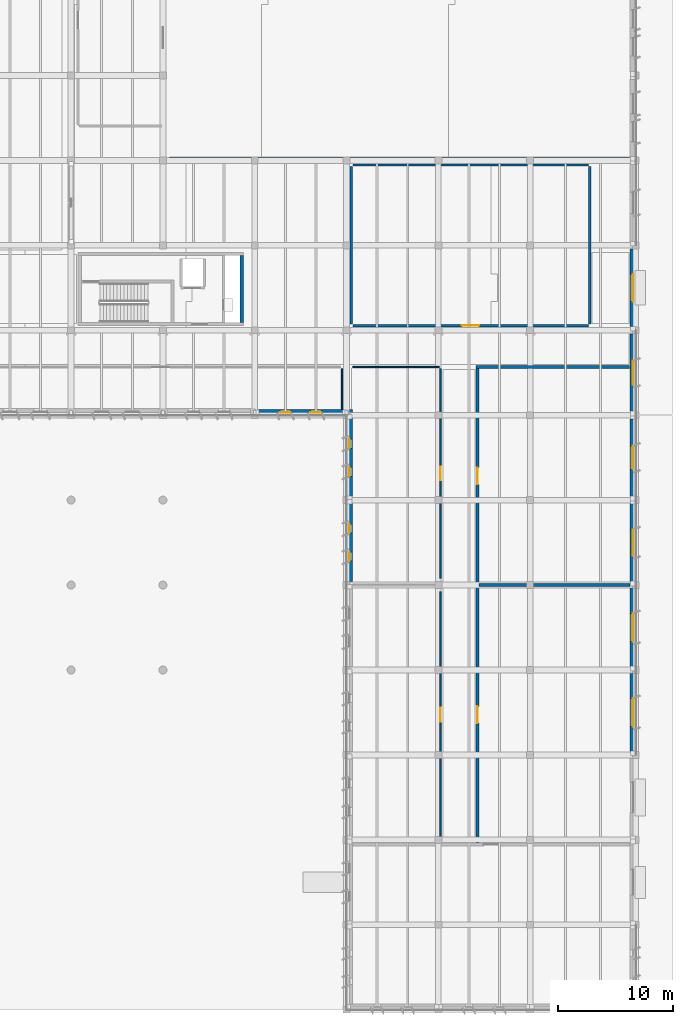
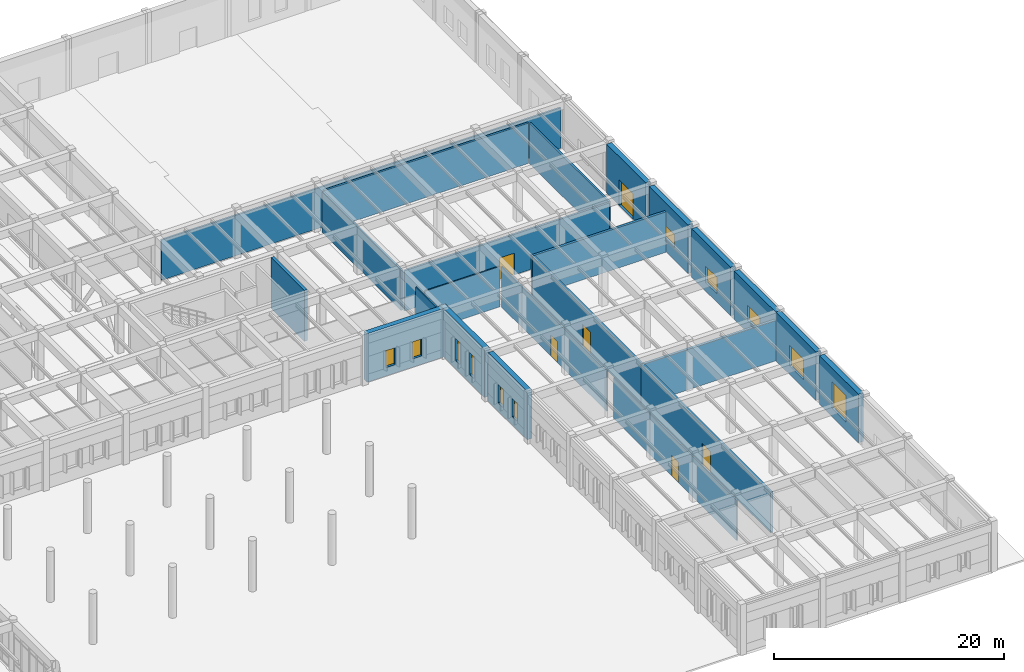
# One storey, part 29 of 56: 23 walls, 11 windows, 6 doors, 17 openings.
"""IFC4 building model written with IfcOpenShell, lengths in metres."""

from ifc_helpers import new_model, si_unit, direction, frame, frame_2d, origin, place, context, subcontext, project, spatial, rectangle, extrude, material, layer, layer_set, type_object, element, fill, save


model = new_model("IFC4")

# Units and contexts
model_context = context("Model", 3, precision=1e-05, world=origin(), true_north=direction((0.0, 1.0)))
body_context = subcontext(model_context, "Body", "Model", "MODEL_VIEW")
ifc_project = project(units=[si_unit("LENGTHUNIT", "METRE"), si_unit("AREAUNIT", "SQUARE_METRE"), si_unit("VOLUMEUNIT", "CUBIC_METRE"), si_unit("PLANEANGLEUNIT", "RADIAN"), si_unit("MASSUNIT", "GRAM", prefix="KILO")], contexts=[model_context])

# Site, building, storey
site_placement = place(None, origin())
site = spatial("IfcSite", under=ifc_project, at=site_placement, CompositionType="ELEMENT")
building_placement = place(site_placement, origin())
building = spatial("IfcBuilding", under=site, at=building_placement, Name="Valkorina Park Police Headquarters", CompositionType="ELEMENT")
storey_placement = place(building_placement, origin())
storey = spatial("IfcBuildingStorey", under=building, at=storey_placement, Name="L01", CompositionType="ELEMENT", Elevation=0.0)

# Walls
ifc_material_1 = material(Name="Acoustic mineral board")
ifc_layer_1 = layer(ifc_material_1, 0.175048828125)
ifc_layer_set_1 = layer_set([ifc_layer_1], Name="Acoustic mineral board")
wall_type_1 = type_object("IfcWallType", Name="WL-BRIEF-175-EI60", PredefinedType="PARTITIONING", material=ifc_layer_set_1)
wall_1_placement = place(storey_placement, frame((121.389892578125, 81.60009765625, 0.0), z_axis=(0.0, 0.0, 1.0), x_axis=(1.0, 0.0, 0.0)))
element("IfcWall", 1, at=wall_1_placement, inside=storey, type_object=wall_type_1, Name="L01 Interior Partition 0089 (L01-GYM-01)", PredefinedType="PARTITIONING", context=body_context, shape_type="SweptSolid", body=[
    extrude(rectangle(XDim=40.070068359375, YDim=0.175048828125, at=frame_2d((20.03515625, 0.0))), origin(), (0.0, 0.0, 1.0), 4.27001953125),
])
ifc_material_2 = material(Name="Concrete C40/50", Category="concrete")
ifc_layer_2 = layer(ifc_material_2, 0.300048828125)
ifc_layer_set_2 = layer_set([ifc_layer_2], Name="Concrete C40/50")
wall_type_2 = type_object("IfcWallType", Name="WL-CORE-300-REI120", PredefinedType="SHEAR", material=ifc_layer_set_2)
wall_2_placement = place(storey_placement, frame((127.64990234375, 67.300048828125, 0.0), z_axis=(0.0, 0.0, 1.0), x_axis=(0.0, 1.0, 0.0)))
element("IfcWall", 2, at=wall_2_placement, inside=storey, type_object=wall_type_2, Name="Core C5 L01 Shear Wall E", PredefinedType="SHEAR", context=body_context, shape_type="SweptSolid", body=[
    extrude(rectangle(XDim=5.800048828125, YDim=0.300048828125, at=frame_2d((2.89990234375, 0.0))), origin(), (0.0, 0.0, 1.0), 5.39501953125),
])

# Wall, opening, door
ifc_material_3 = material(Name="Autoclaved aerated concrete masonry", Category="masonry")
ifc_layer_3 = layer(ifc_material_3, 0.199951171875)
ifc_layer_set_3 = layer_set([ifc_layer_3], Name="Autoclaved aerated concrete masonry")
wall_type_3 = type_object("IfcWallType", Name="WL-CORR-200-EI60", PredefinedType="STANDARD", material=ifc_layer_set_3)
wall_3_placement = place(storey_placement, frame((137.340087890625, 67.0, 0.0), z_axis=(0.0, 0.0, 1.0), x_axis=(1.0, 0.0, 0.0)))
wall_3 = element("IfcWall", 3, at=wall_3_placement, inside=storey, type_object=wall_type_3, Name="L01 Interior Partition 0106 (L01-FOR-06)", PredefinedType="STANDARD", context=body_context, shape_type="SweptSolid", body=[
    extrude(rectangle(XDim=20.52001953125, YDim=0.199951171875, at=frame_2d((10.260009765625, 0.0))), origin(), (0.0, 0.0, 1.0), 4.284912109375),
])
opening_1_placement = place(wall_3_placement, frame((9.510009765625, 0.0, 0.0)))
opening_1 = element("IfcOpeningElement", 4, at=opening_1_placement, cuts=wall_3, Name="Opening ID-08", PredefinedType="OPENING", context=body_context, shape_type="SweptSolid", body=[
    extrude(rectangle(XDim=1.5, YDim=2.300048828125, at=frame_2d((0.75, 1.14990234375))), frame((0.0, 0.10986328125, 0.0), z_axis=(0.0, -1.0, 0.0), x_axis=(1.0, 0.0, 0.0)), (0.0, 0.0, 1.0), 0.219970703125),
])
ifc_material_4 = material(Name="Galvanized steel door leaf", Category="steel")
ifc_layer_4 = layer(ifc_material_4, 0.050048828125)
ifc_layer_set_4 = layer_set([ifc_layer_4], Name="Galvanized steel door leaf")
door_type_1 = type_object("IfcDoorType", Name="DR-INT-EQP-1500x2300", OperationType="NOTDEFINED", PredefinedType="DOOR", material=ifc_layer_set_4)
door_1_placement = place(opening_1_placement, origin())
door_1 = element("IfcDoor", 5, at=door_1_placement, inside=storey, type_object=door_type_1, Name="Door D-L01-I050 (L01-FOR-06)", OperationType="SINGLE_SWING_LEFT", OverallHeight=2.300048828125, OverallWidth=1.5, PredefinedType="DOOR", context=body_context, shape_type="SweptSolid", body=[
    extrude(rectangle(XDim=1.5, YDim=2.300048828125, at=frame_2d((0.75, 1.14990234375))), frame((0.0, 0.02490234375, 0.0), z_axis=(0.0, -1.0, 0.0), x_axis=(1.0, 0.0, 0.0)), (0.0, 0.0, 1.0), 0.050048828125),
])
fill(opening_1, door_1)

# Walls
wall_4_placement = place(storey_placement, frame((137.340087890625, 81.0, 0.0), z_axis=(0.0, 0.0, 1.0), x_axis=(1.0, 0.0, 0.0)))
element("IfcWall", 6, at=wall_4_placement, inside=storey, type_object=wall_type_3, Name="L01 Interior Partition 0107 (L01-FOR-06)", PredefinedType="STANDARD", context=body_context, shape_type="SweptSolid", body=[
    extrude(rectangle(XDim=20.52001953125, YDim=0.199951171875, at=frame_2d((10.260009765625, 0.0))), origin(), (0.0, 0.0, 1.0), 4.284912109375),
])
wall_5_placement = place(storey_placement, frame((137.199951171875, 67.139892578125, 0.0), z_axis=(0.0, 0.0, 1.0), x_axis=(0.0, 1.0, 0.0)))
element("IfcWall", 7, at=wall_5_placement, inside=storey, type_object=wall_type_3, Name="L01 Interior Partition 0108 (L01-FOR-06)", PredefinedType="STANDARD", context=body_context, shape_type="SweptSolid", body=[
    extrude(rectangle(XDim=13.72021484375, YDim=0.199951171875, at=frame_2d((6.860107421875, 0.0))), origin(), (0.0, 0.0, 1.0), 4.27001953125),
])
wall_6_placement = place(storey_placement, frame((158.0, 67.139892578125, 0.0), z_axis=(0.0, 0.0, 1.0), x_axis=(0.0, 1.0, 0.0)))
element("IfcWall", 8, at=wall_6_placement, inside=storey, type_object=wall_type_3, Name="L01 Interior Partition 0109 (L01-FOR-06)", PredefinedType="STANDARD", context=body_context, shape_type="SweptSolid", body=[
    extrude(rectangle(XDim=13.72021484375, YDim=0.199951171875, at=frame_2d((6.860107421875, 0.0))), origin(), (0.0, 0.0, 1.0), 4.284912109375),
])
ifc_layer_5 = layer(ifc_material_2, 0.25)
ifc_layer_set_5 = layer_set([ifc_layer_5], Name="Concrete C40/50")
wall_type_4 = type_object("IfcWallType", Name="WL-CUST-250-REI120", PredefinedType="SOLIDWALL", material=ifc_layer_set_5)
wall_7_placement = place(storey_placement, frame((148.340087890625, 44.39990234375, 0.0), z_axis=(0.0, 0.0, 1.0), x_axis=(1.0, 0.0, 0.0)))
element("IfcWall", 9, at=wall_7_placement, inside=storey, type_object=wall_type_4, Name="L01 Interior Partition 0102 (L01-FOR-04)", PredefinedType="SOLIDWALL", context=body_context, shape_type="SweptSolid", body=[
    extrude(rectangle(XDim=13.159912109375, YDim=0.25, at=frame_2d((6.580078125, 0.0))), origin(), (0.0, 0.0, 1.0), 4.284912109375),
])

# Wall, opening, door
wall_8_placement = place(storey_placement, frame((148.199951171875, 21.93994140625, 0.0), z_axis=(0.0, 0.0, 1.0), x_axis=(0.0, 1.0, 0.0)))
wall_8 = element("IfcWall", 10, at=wall_8_placement, inside=storey, type_object=wall_type_4, Name="L01 Interior Partition 0103 (L01-FOR-04)", PredefinedType="SOLIDWALL", context=body_context, shape_type="SweptSolid", body=[
    extrude(rectangle(XDim=22.4599609375, YDim=0.25, at=frame_2d((11.22998046875, 0.0))), origin(), (0.0, 0.0, 1.0), 4.284912109375),
])
opening_2_placement = place(wall_8_placement, frame((10.43505859375, 0.0, 0.0)))
opening_2 = element("IfcOpeningElement", 11, at=opening_2_placement, cuts=wall_8, Name="Opening FD-07", PredefinedType="OPENING", context=body_context, shape_type="SweptSolid", body=[
    extrude(rectangle(XDim=1.449951171875, YDim=2.300048828125, at=frame_2d((0.72509765625, 1.14990234375))), frame((0.0, 0.135009765625, 0.0), z_axis=(0.0, -1.0, 0.0), x_axis=(1.0, 0.0, 0.0)), (0.0, 0.0, 1.0), 0.27001953125),
])
ifc_layer_6 = layer(ifc_material_4, 0.050048828125)
ifc_layer_set_6 = layer_set([ifc_layer_6], Name="Galvanized steel door leaf")
door_type_2 = type_object("IfcDoorType", Name="DR-FIRE-VAULT-1450x2300", OperationType="NOTDEFINED", PredefinedType="DOOR", material=ifc_layer_set_6)
door_2_placement = place(opening_2_placement, origin())
door_2 = element("IfcDoor", 12, at=door_2_placement, inside=storey, type_object=door_type_2, Name="Door D-L01-I048 (L01-FOR-04)", OperationType="SINGLE_SWING_LEFT", OverallHeight=2.300048828125, OverallWidth=1.449951171875, PredefinedType="DOOR", context=body_context, shape_type="SweptSolid", body=[
    extrude(rectangle(XDim=1.449951171875, YDim=2.300048828125, at=frame_2d((0.72509765625, 1.14990234375))), frame((0.0, 0.02490234375, 0.0), z_axis=(0.0, -1.0, 0.0), x_axis=(1.0, 0.0, 0.0)), (0.0, 0.0, 1.0), 0.050048828125),
])
fill(opening_2, door_2)

# Wall
wall_9_placement = place(storey_placement, frame((148.074951171875, 63.39990234375, 0.0), z_axis=(0.0, 0.0, 1.0), x_axis=(1.0, 0.0, 0.0)))
element("IfcWall", 13, at=wall_9_placement, inside=storey, type_object=wall_type_4, Name="L01 Interior Partition 0104 (L01-FOR-05)", PredefinedType="SOLIDWALL", context=body_context, shape_type="SweptSolid", body=[
    extrude(rectangle(XDim=13.385009765625, YDim=0.25, at=frame_2d((6.6923828125, 0.0))), origin(), (0.0, 0.0, 1.0), 4.284912109375),
])

# Wall, opening, door
wall_10_placement = place(storey_placement, frame((148.199951171875, 44.39990234375, 0.0), z_axis=(0.0, 0.0, 1.0), x_axis=(0.0, 1.0, 0.0)))
wall_10 = element("IfcWall", 14, at=wall_10_placement, inside=storey, type_object=wall_type_4, Name="L01 Interior Partition 0105 (L01-FOR-05)", PredefinedType="SOLIDWALL", context=body_context, shape_type="SweptSolid", body=[
    extrude(rectangle(XDim=18.875, YDim=0.25, at=frame_2d((9.4375, 0.0))), origin(), (0.0, 0.0, 1.0), 4.284912109375),
])
opening_3_placement = place(wall_10_placement, frame((8.77490234375, 0.0, 0.0)))
opening_3 = element("IfcOpeningElement", 15, at=opening_3_placement, cuts=wall_10, Name="Opening FD-07", PredefinedType="OPENING", context=body_context, shape_type="SweptSolid", body=[
    extrude(rectangle(XDim=1.449951171875, YDim=2.300048828125, at=frame_2d((0.72509765625, 1.14990234375))), frame((0.0, 0.135009765625, 0.0), z_axis=(0.0, -1.0, 0.0), x_axis=(1.0, 0.0, 0.0)), (0.0, 0.0, 1.0), 0.27001953125),
])
door_3_placement = place(opening_3_placement, origin())
door_3 = element("IfcDoor", 16, at=door_3_placement, inside=storey, type_object=door_type_2, Name="Door D-L01-I049 (L01-FOR-05)", OperationType="SINGLE_SWING_RIGHT", OverallHeight=2.300048828125, OverallWidth=1.449951171875, PredefinedType="DOOR", context=body_context, shape_type="SweptSolid", body=[
    extrude(rectangle(XDim=1.449951171875, YDim=2.300048828125, at=frame_2d((0.72509765625, 1.14990234375))), frame((0.0, 0.02490234375, 0.0), z_axis=(0.0, -1.0, 0.0), x_axis=(1.0, 0.0, 0.0)), (0.0, 0.0, 1.0), 0.050048828125),
])
fill(opening_3, door_3)

ifc_material_5 = material(Name="Precast concrete C40/50", Category="concrete")
ifc_layer_7 = layer(ifc_material_5, 0.5)
ifc_layer_set_7 = layer_set([ifc_layer_7], Name="Precast concrete C40/50")
wall_type_5 = type_object("IfcWallType", Name="WL-EXT-SPANDREL-500", PredefinedType="STANDARD", material=ifc_layer_set_7)
wall_11_placement = place(storey_placement, frame((161.75, 73.68994140625, 0.0), z_axis=(0.0, 0.0, 1.0), x_axis=(0.0, -1.0, 0.0)))
wall_11 = element("IfcWall", 17, at=wall_11_placement, inside=storey, type_object=wall_type_5, Name="L01 Architectural Concrete Exterior Wall 0057", PredefinedType="STANDARD", context=body_context, shape_type="SweptSolid", body=[
    extrude(rectangle(XDim=6.780029296875, YDim=0.5, at=frame_2d((3.39013671875, 0.0))), origin(), (0.0, 0.0, 1.0), 5.155029296875),
])
opening_4_placement = place(wall_11_placement, frame((2.18994140625, 0.0, 0.0)))
opening_4 = element("IfcOpeningElement", 18, at=opening_4_placement, cuts=wall_11, Name="Opening ED-03", PredefinedType="OPENING", context=body_context, shape_type="SweptSolid", body=[
    extrude(rectangle(XDim=2.39990234375, YDim=2.699951171875, at=frame_2d((1.199951171875, 1.35009765625))), frame((0.0, 0.260009765625, 0.0), z_axis=(0.0, -1.0, 0.0), x_axis=(1.0, 0.0, 0.0)), (0.0, 0.0, 1.0), 0.52001953125),
])
ifc_material_6 = material(Name="Thermally broken aluminium AW-6060", Category="aluminium")
ifc_layer_8 = layer(ifc_material_6, 0.050048828125)
ifc_layer_set_8 = layer_set([ifc_layer_8], Name="Thermally broken aluminium AW-6060")
door_type_3 = type_object("IfcDoorType", Name="DR-EXT-MAIN-2400x2700", OperationType="NOTDEFINED", PredefinedType="DOOR", material=ifc_layer_set_8)
door_4_placement = place(opening_4_placement, origin())
door_4 = element("IfcDoor", 19, at=door_4_placement, inside=storey, type_object=door_type_3, Name="Door D-L01-011 (Final Pedestrian Exit)", OperationType="DOUBLE_DOOR_SINGLE_SWING", OverallHeight=2.699951171875, OverallWidth=2.39990234375, PredefinedType="DOOR", context=body_context, shape_type="SweptSolid", body=[
    extrude(rectangle(XDim=2.39990234375, YDim=2.699951171875, at=frame_2d((1.199951171875, 1.35009765625))), frame((0.0, 0.02490234375, 0.0), z_axis=(0.0, -1.0, 0.0), x_axis=(1.0, 0.0, 0.0)), (0.0, 0.0, 1.0), 0.050048828125),
])
fill(opening_4, door_4)

# Wall, opening, window
wall_12_placement = place(storey_placement, frame((161.75, 66.2900390625, 0.0), z_axis=(0.0, 0.0, 1.0), x_axis=(0.0, -1.0, 0.0)))
wall_12 = element("IfcWall", 20, at=wall_12_placement, inside=storey, type_object=wall_type_5, Name="L01 Architectural Concrete Exterior Wall 0058", PredefinedType="STANDARD", context=body_context, shape_type="SweptSolid", body=[
    extrude(rectangle(XDim=6.780029296875, YDim=0.5, at=frame_2d((3.39013671875, 0.0))), origin(), (0.0, 0.0, 1.0), 5.155029296875),
])
opening_5_placement = place(wall_12_placement, frame((2.364990234375, 0.0, 1.35009765625)))
opening_5 = element("IfcOpeningElement", 21, at=opening_5_placement, cuts=wall_12, Name="Opening WN-31", PredefinedType="OPENING", context=body_context, shape_type="SweptSolid", body=[
    extrude(rectangle(XDim=2.050048828125, YDim=1.35009765625, at=frame_2d((1.02490234375, 0.675048828125))), frame((0.0, 0.260009765625, 0.0), z_axis=(0.0, -1.0, 0.0), x_axis=(1.0, 0.0, 0.0)), (0.0, 0.0, 1.0), 0.52001953125),
])
ifc_material_7 = material(Name="Triple low-E insulated glazing", Category="glass")
ifc_layer_9 = layer(ifc_material_7, 0.06005859375)
ifc_layer_set_9 = layer_set([ifc_layer_9], Name="Triple low-E insulated glazing")
window_type_1 = type_object("IfcWindowType", Name="WN-GYM-2050x1350", PartitioningType="SINGLE_PANEL", PredefinedType="WINDOW", material=ifc_layer_set_9)
window_1_placement = place(opening_5_placement, origin())
window_1 = element("IfcWindow", 22, at=window_1_placement, inside=storey, type_object=window_type_1, Name="Window L01-0092", OverallHeight=1.35009765625, OverallWidth=2.050048828125, PartitioningType="SINGLE_PANEL", PredefinedType="WINDOW", context=body_context, shape_type="SweptSolid", body=[
    extrude(rectangle(XDim=2.050048828125, YDim=1.35009765625, at=frame_2d((1.02490234375, 0.675048828125))), frame((0.0, 0.030029296875, 0.0), z_axis=(0.0, -1.0, 0.0), x_axis=(1.0, 0.0, 0.0)), (0.0, 0.0, 1.0), 0.06005859375),
])
fill(opening_5, window_1)

wall_13_placement = place(storey_placement, frame((161.75, 58.889892578125, 0.0), z_axis=(0.0, 0.0, 1.0), x_axis=(0.0, -1.0, 0.0)))
wall_13 = element("IfcWall", 23, at=wall_13_placement, inside=storey, type_object=wall_type_5, Name="L01 Architectural Concrete Exterior Wall 0059", PredefinedType="STANDARD", context=body_context, shape_type="SweptSolid", body=[
    extrude(rectangle(XDim=6.77978515625, YDim=0.5, at=frame_2d((3.389892578125, 0.0))), origin(), (0.0, 0.0, 1.0), 5.155029296875),
])
opening_6_placement = place(wall_13_placement, frame((2.364990234375, 0.0, 0.89990234375)))
opening_6 = element("IfcOpeningElement", 24, at=opening_6_placement, cuts=wall_13, Name="Opening WN-32", PredefinedType="OPENING", context=body_context, shape_type="SweptSolid", body=[
    extrude(rectangle(XDim=2.050048828125, YDim=1.75, at=frame_2d((1.02490234375, 0.875))), frame((0.0, 0.260009765625, 0.0), z_axis=(0.0, -1.0, 0.0), x_axis=(1.0, 0.0, 0.0)), (0.0, 0.0, 1.0), 0.52001953125),
])
ifc_layer_10 = layer(ifc_material_7, 0.06005859375)
ifc_layer_set_10 = layer_set([ifc_layer_10], Name="Triple low-E insulated glazing")
window_type_2 = type_object("IfcWindowType", Name="WN-GYM-2050x1750", PartitioningType="SINGLE_PANEL", PredefinedType="WINDOW", material=ifc_layer_set_10)
window_2_placement = place(opening_6_placement, origin())
window_2 = element("IfcWindow", 25, at=window_2_placement, inside=storey, type_object=window_type_2, Name="Window L01-0093", OverallHeight=1.75, OverallWidth=2.050048828125, PartitioningType="SINGLE_PANEL", PredefinedType="WINDOW", context=body_context, shape_type="SweptSolid", body=[
    extrude(rectangle(XDim=2.050048828125, YDim=1.75, at=frame_2d((1.02490234375, 0.875))), frame((0.0, 0.030029296875, 0.0), z_axis=(0.0, -1.0, 0.0), x_axis=(1.0, 0.0, 0.0)), (0.0, 0.0, 1.0), 0.06005859375),
])
fill(opening_6, window_2)

wall_14_placement = place(storey_placement, frame((161.75, 51.489990234375, 0.0), z_axis=(0.0, 0.0, 1.0), x_axis=(0.0, -1.0, 0.0)))
wall_14 = element("IfcWall", 26, at=wall_14_placement, inside=storey, type_object=wall_type_5, Name="L01 Architectural Concrete Exterior Wall 0060", PredefinedType="STANDARD", context=body_context, shape_type="SweptSolid", body=[
    extrude(rectangle(XDim=7.215087890625, YDim=0.5, at=frame_2d((3.607421875, 0.0))), origin(), (0.0, 0.0, 1.0), 5.155029296875),
])
opening_7_placement = place(wall_14_placement, frame((2.264892578125, 0.0, 1.35009765625)))
opening_7 = element("IfcOpeningElement", 27, at=opening_7_placement, cuts=wall_14, Name="Opening WN-33", PredefinedType="OPENING", context=body_context, shape_type="SweptSolid", body=[
    extrude(rectangle(XDim=2.25, YDim=1.550048828125, at=frame_2d((1.125, 0.77490234375))), frame((0.0, 0.260009765625, 0.0), z_axis=(0.0, -1.0, 0.0), x_axis=(1.0, 0.0, 0.0)), (0.0, 0.0, 1.0), 0.52001953125),
])
ifc_layer_11 = layer(ifc_material_7, 0.06005859375)
ifc_layer_set_11 = layer_set([ifc_layer_11], Name="Triple low-E insulated glazing")
window_type_3 = type_object("IfcWindowType", Name="WN-GYM-2250x1550", PartitioningType="SINGLE_PANEL", PredefinedType="WINDOW", material=ifc_layer_set_11)
window_3_placement = place(opening_7_placement, origin())
window_3 = element("IfcWindow", 28, at=window_3_placement, inside=storey, type_object=window_type_3, Name="Window L01-0094", OverallHeight=1.550048828125, OverallWidth=2.25, PartitioningType="SINGLE_PANEL", PredefinedType="WINDOW", context=body_context, shape_type="SweptSolid", body=[
    extrude(rectangle(XDim=2.25, YDim=1.550048828125, at=frame_2d((1.125, 0.77490234375))), frame((0.0, 0.030029296875, 0.0), z_axis=(0.0, -1.0, 0.0), x_axis=(1.0, 0.0, 0.0)), (0.0, 0.0, 1.0), 0.06005859375),
])
fill(opening_7, window_3)

wall_15_placement = place(storey_placement, frame((161.75, 44.52490234375, 0.0), z_axis=(0.0, 0.0, 1.0), x_axis=(0.0, -1.0, 0.0)))
wall_15 = element("IfcWall", 29, at=wall_15_placement, inside=storey, type_object=wall_type_5, Name="L01 Architectural Concrete Exterior Wall 0061", PredefinedType="STANDARD", context=body_context, shape_type="SweptSolid", body=[
    extrude(rectangle(XDim=7.21484375, YDim=0.5, at=frame_2d((3.607421875, 0.0))), origin(), (0.0, 0.0, 1.0), 5.155029296875),
])
opening_8_placement = place(wall_15_placement, frame((2.60009765625, 0.0, 0.89990234375)))
opening_8 = element("IfcOpeningElement", 30, at=opening_8_placement, cuts=wall_15, Name="Opening WN-34", PredefinedType="OPENING", context=body_context, shape_type="SweptSolid", body=[
    extrude(rectangle(XDim=2.449951171875, YDim=2.199951171875, at=frame_2d((1.22509765625, 1.10009765625))), frame((0.0, 0.260009765625, 0.0), z_axis=(0.0, -1.0, 0.0), x_axis=(1.0, 0.0, 0.0)), (0.0, 0.0, 1.0), 0.52001953125),
])
ifc_layer_12 = layer(ifc_material_7, 0.06005859375)
ifc_layer_set_12 = layer_set([ifc_layer_12], Name="Triple low-E insulated glazing")
window_type_4 = type_object("IfcWindowType", Name="WN-HALL-2450x2200", PartitioningType="SINGLE_PANEL", PredefinedType="WINDOW", material=ifc_layer_set_12)
window_4_placement = place(opening_8_placement, origin())
window_4 = element("IfcWindow", 31, at=window_4_placement, inside=storey, type_object=window_type_4, Name="Window L01-0095", OverallHeight=2.199951171875, OverallWidth=2.449951171875, PartitioningType="SINGLE_PANEL", PredefinedType="WINDOW", context=body_context, shape_type="SweptSolid", body=[
    extrude(rectangle(XDim=2.449951171875, YDim=2.199951171875, at=frame_2d((1.22509765625, 1.10009765625))), frame((0.0, 0.030029296875, 0.0), z_axis=(0.0, -1.0, 0.0), x_axis=(1.0, 0.0, 0.0)), (0.0, 0.0, 1.0), 0.06005859375),
])
fill(opening_8, window_4)

wall_16_placement = place(storey_placement, frame((161.75, 36.68994140625, 0.0), z_axis=(0.0, 0.0, 1.0), x_axis=(0.0, -1.0, 0.0)))
wall_16 = element("IfcWall", 32, at=wall_16_placement, inside=storey, type_object=wall_type_5, Name="L01 Architectural Concrete Exterior Wall 0062", PredefinedType="STANDARD", context=body_context, shape_type="SweptSolid", body=[
    extrude(rectangle(XDim=6.780029296875, YDim=0.5, at=frame_2d((3.39013671875, 0.0))), origin(), (0.0, 0.0, 1.0), 5.155029296875),
])
opening_9_placement = place(wall_16_placement, frame((2.1650390625, 0.0, 0.89990234375)))
opening_9 = element("IfcOpeningElement", 33, at=opening_9_placement, cuts=wall_16, Name="Opening WN-35", PredefinedType="OPENING", context=body_context, shape_type="SweptSolid", body=[
    extrude(rectangle(XDim=2.449951171875, YDim=2.800048828125, at=frame_2d((1.22509765625, 1.39990234375))), frame((0.0, 0.260009765625, 0.0), z_axis=(0.0, -1.0, 0.0), x_axis=(1.0, 0.0, 0.0)), (0.0, 0.0, 1.0), 0.52001953125),
])
ifc_layer_13 = layer(ifc_material_7, 0.06005859375)
ifc_layer_set_13 = layer_set([ifc_layer_13], Name="Triple low-E insulated glazing")
window_type_5 = type_object("IfcWindowType", Name="WN-HALL-2450x2800", PartitioningType="SINGLE_PANEL", PredefinedType="WINDOW", material=ifc_layer_set_13)
window_5_placement = place(opening_9_placement, origin())
window_5 = element("IfcWindow", 34, at=window_5_placement, inside=storey, type_object=window_type_5, Name="Window L01-0096", OverallHeight=2.800048828125, OverallWidth=2.449951171875, PartitioningType="SINGLE_PANEL", PredefinedType="WINDOW", context=body_context, shape_type="SweptSolid", body=[
    extrude(rectangle(XDim=2.449951171875, YDim=2.800048828125, at=frame_2d((1.22509765625, 1.39990234375))), frame((0.0, 0.030029296875, 0.0), z_axis=(0.0, -1.0, 0.0), x_axis=(1.0, 0.0, 0.0)), (0.0, 0.0, 1.0), 0.06005859375),
])
fill(opening_9, window_5)

# Wall, openings, windows
wall_17_placement = place(storey_placement, frame((137.050048828125, 44.7099609375, 0.0), z_axis=(0.0, 0.0, 1.0), x_axis=(0.0, 1.0, 0.0)))
wall_17 = element("IfcWall", 35, at=wall_17_placement, inside=storey, type_object=wall_type_5, Name="L01 Architectural Concrete Exterior Wall 0074", PredefinedType="STANDARD", context=body_context, shape_type="SweptSolid", body=[
    extrude(rectangle(XDim=6.780029296875, YDim=0.5, at=frame_2d((3.39013671875, 0.0))), origin(), (0.0, 0.0, 1.0), 5.155029296875),
])
opening_10_placement = place(wall_17_placement, frame((1.76953125, 0.0, 0.89990234375)))
opening_10 = element("IfcOpeningElement", 36, at=opening_10_placement, cuts=wall_17, Name="Opening WN-11", PredefinedType="OPENING", context=body_context, shape_type="SweptSolid", body=[
    extrude(rectangle(XDim=0.800048828125, YDim=1.949951171875, at=frame_2d((0.39990234375, 0.97509765625))), frame((0.0, 0.260009765625, 0.0), z_axis=(0.0, -1.0, 0.0), x_axis=(1.0, 0.0, 0.0)), (0.0, 0.0, 1.0), 0.52001953125),
])
opening_11_placement = place(wall_17_placement, frame((4.21044921875, 0.0, 0.89990234375)))
opening_11 = element("IfcOpeningElement", 37, at=opening_11_placement, cuts=wall_17, Name="Opening WN-11", PredefinedType="OPENING", context=body_context, shape_type="SweptSolid", body=[
    extrude(rectangle(XDim=0.800048828125, YDim=1.949951171875, at=frame_2d((0.39990234375, 0.97509765625))), frame((0.0, 0.260009765625, 0.0), z_axis=(0.0, -1.0, 0.0), x_axis=(1.0, 0.0, 0.0)), (0.0, 0.0, 1.0), 0.52001953125),
])
ifc_layer_14 = layer(ifc_material_7, 0.06005859375)
ifc_layer_set_14 = layer_set([ifc_layer_14], Name="Triple low-E insulated glazing")
window_type_6 = type_object("IfcWindowType", Name="WN-SLOT-800x1950", PartitioningType="SINGLE_PANEL", PredefinedType="WINDOW", material=ifc_layer_set_14)
window_6_placement = place(opening_10_placement, origin())
window_6 = element("IfcWindow", 38, at=window_6_placement, inside=storey, type_object=window_type_6, Name="Window L01-0115", OverallHeight=1.949951171875, OverallWidth=0.800048828125, PartitioningType="SINGLE_PANEL", PredefinedType="WINDOW", context=body_context, shape_type="SweptSolid", body=[
    extrude(rectangle(XDim=0.800048828125, YDim=1.949951171875, at=frame_2d((0.39990234375, 0.97509765625))), frame((0.0, 0.030029296875, 0.0), z_axis=(0.0, -1.0, 0.0), x_axis=(1.0, 0.0, 0.0)), (0.0, 0.0, 1.0), 0.06005859375),
])
fill(opening_10, window_6)
window_7_placement = place(opening_11_placement, origin())
window_7 = element("IfcWindow", 39, at=window_7_placement, inside=storey, type_object=window_type_6, Name="Window L01-0116", OverallHeight=1.949951171875, OverallWidth=0.800048828125, PartitioningType="SINGLE_PANEL", PredefinedType="WINDOW", context=body_context, shape_type="SweptSolid", body=[
    extrude(rectangle(XDim=0.800048828125, YDim=1.949951171875, at=frame_2d((0.39990234375, 0.97509765625))), frame((0.0, 0.030029296875, 0.0), z_axis=(0.0, -1.0, 0.0), x_axis=(1.0, 0.0, 0.0)), (0.0, 0.0, 1.0), 0.06005859375),
])
fill(opening_11, window_7)

wall_18_placement = place(storey_placement, frame((137.050048828125, 52.110107421875, 0.0), z_axis=(0.0, 0.0, 1.0), x_axis=(0.0, 1.0, 0.0)))
wall_18 = element("IfcWall", 40, at=wall_18_placement, inside=storey, type_object=wall_type_5, Name="L01 Architectural Concrete Exterior Wall 0075", PredefinedType="STANDARD", context=body_context, shape_type="SweptSolid", body=[
    extrude(rectangle(XDim=7.58984375, YDim=0.5, at=frame_2d((3.794921875, 0.0))), origin(), (0.0, 0.0, 1.0), 5.155029296875),
])
opening_12_placement = place(wall_18_placement, frame((1.76953125, 0.0, 0.89990234375)))
opening_12 = element("IfcOpeningElement", 41, at=opening_12_placement, cuts=wall_18, Name="Opening WN-12", PredefinedType="OPENING", context=body_context, shape_type="SweptSolid", body=[
    extrude(rectangle(XDim=0.800048828125, YDim=2.35009765625, at=frame_2d((0.39990234375, 1.175048828125))), frame((0.0, 0.260009765625, 0.0), z_axis=(0.0, -1.0, 0.0), x_axis=(1.0, 0.0, 0.0)), (0.0, 0.0, 1.0), 0.52001953125),
])
opening_13_placement = place(wall_18_placement, frame((4.21044921875, 0.0, 0.89990234375)))
opening_13 = element("IfcOpeningElement", 42, at=opening_13_placement, cuts=wall_18, Name="Opening WN-12", PredefinedType="OPENING", context=body_context, shape_type="SweptSolid", body=[
    extrude(rectangle(XDim=0.800048828125, YDim=2.35009765625, at=frame_2d((0.39990234375, 1.175048828125))), frame((0.0, 0.260009765625, 0.0), z_axis=(0.0, -1.0, 0.0), x_axis=(1.0, 0.0, 0.0)), (0.0, 0.0, 1.0), 0.52001953125),
])
ifc_layer_15 = layer(ifc_material_7, 0.06005859375)
ifc_layer_set_15 = layer_set([ifc_layer_15], Name="Triple low-E insulated glazing")
window_type_7 = type_object("IfcWindowType", Name="WN-SLOT-800x2350", PartitioningType="SINGLE_PANEL", PredefinedType="WINDOW", material=ifc_layer_set_15)
window_8_placement = place(opening_12_placement, origin())
window_8 = element("IfcWindow", 43, at=window_8_placement, inside=storey, type_object=window_type_7, Name="Window L01-0117", OverallHeight=2.35009765625, OverallWidth=0.800048828125, PartitioningType="SINGLE_PANEL", PredefinedType="WINDOW", context=body_context, shape_type="SweptSolid", body=[
    extrude(rectangle(XDim=0.800048828125, YDim=2.35009765625, at=frame_2d((0.39990234375, 1.175048828125))), frame((0.0, 0.030029296875, 0.0), z_axis=(0.0, -1.0, 0.0), x_axis=(1.0, 0.0, 0.0)), (0.0, 0.0, 1.0), 0.06005859375),
])
fill(opening_12, window_8)
window_9_placement = place(opening_13_placement, origin())
window_9 = element("IfcWindow", 44, at=window_9_placement, inside=storey, type_object=window_type_7, Name="Window L01-0118", OverallHeight=2.35009765625, OverallWidth=0.800048828125, PartitioningType="SINGLE_PANEL", PredefinedType="WINDOW", context=body_context, shape_type="SweptSolid", body=[
    extrude(rectangle(XDim=0.800048828125, YDim=2.35009765625, at=frame_2d((0.39990234375, 1.175048828125))), frame((0.0, 0.030029296875, 0.0), z_axis=(0.0, -1.0, 0.0), x_axis=(1.0, 0.0, 0.0)), (0.0, 0.0, 1.0), 0.06005859375),
])
fill(opening_13, window_9)

wall_19_placement = place(storey_placement, frame((136.800048828125, 59.449951171875, 0.0), z_axis=(0.0, 0.0, 1.0), x_axis=(-1.0, 0.0, 0.0)))
wall_19 = element("IfcWall", 45, at=wall_19_placement, inside=storey, type_object=wall_type_5, Name="L01 Architectural Concrete Exterior Wall 0076", PredefinedType="STANDARD", context=body_context, shape_type="SweptSolid", body=[
    extrude(rectangle(XDim=7.68994140625, YDim=0.5, at=frame_2d((3.844970703125, 0.0))), origin(), (0.0, 0.0, 1.0), 5.139892578125),
])
opening_14_placement = place(wall_19_placement, frame((2.196533203125, 0.0, 0.89990234375)))
opening_14 = element("IfcOpeningElement", 46, at=opening_14_placement, cuts=wall_19, Name="Opening WN-17", PredefinedType="OPENING", context=body_context, shape_type="SweptSolid", body=[
    extrude(rectangle(XDim=0.949951171875, YDim=1.800048828125, at=frame_2d((0.47509765625, 0.89990234375))), frame((0.0, 0.260009765625, 0.0), z_axis=(0.0, -1.0, 0.0), x_axis=(1.0, 0.0, 0.0)), (0.0, 0.0, 1.0), 0.52001953125),
])
opening_15_placement = place(wall_19_placement, frame((4.853515625, 0.0, 0.89990234375)))
opening_15 = element("IfcOpeningElement", 47, at=opening_15_placement, cuts=wall_19, Name="Opening WN-17", PredefinedType="OPENING", context=body_context, shape_type="SweptSolid", body=[
    extrude(rectangle(XDim=0.949951171875, YDim=1.800048828125, at=frame_2d((0.47509765625, 0.89990234375))), frame((0.0, 0.260009765625, 0.0), z_axis=(0.0, -1.0, 0.0), x_axis=(1.0, 0.0, 0.0)), (0.0, 0.0, 1.0), 0.52001953125),
])
ifc_layer_16 = layer(ifc_material_7, 0.06005859375)
ifc_layer_set_16 = layer_set([ifc_layer_16], Name="Triple low-E insulated glazing")
window_type_8 = type_object("IfcWindowType", Name="WN-SLOT-950x1800", PartitioningType="SINGLE_PANEL", PredefinedType="WINDOW", material=ifc_layer_set_16)
window_10_placement = place(opening_14_placement, origin())
window_10 = element("IfcWindow", 48, at=window_10_placement, inside=storey, type_object=window_type_8, Name="Window L01-0119", OverallHeight=1.800048828125, OverallWidth=0.949951171875, PartitioningType="SINGLE_PANEL", PredefinedType="WINDOW", context=body_context, shape_type="SweptSolid", body=[
    extrude(rectangle(XDim=0.949951171875, YDim=1.800048828125, at=frame_2d((0.47509765625, 0.89990234375))), frame((0.0, 0.030029296875, 0.0), z_axis=(0.0, -1.0, 0.0), x_axis=(1.0, 0.0, 0.0)), (0.0, 0.0, 1.0), 0.06005859375),
])
fill(opening_14, window_10)
window_11_placement = place(opening_15_placement, origin())
window_11 = element("IfcWindow", 49, at=window_11_placement, inside=storey, type_object=window_type_8, Name="Window L01-0120", OverallHeight=1.800048828125, OverallWidth=0.949951171875, PartitioningType="SINGLE_PANEL", PredefinedType="WINDOW", context=body_context, shape_type="SweptSolid", body=[
    extrude(rectangle(XDim=0.949951171875, YDim=1.800048828125, at=frame_2d((0.47509765625, 0.89990234375))), frame((0.0, 0.030029296875, 0.0), z_axis=(0.0, -1.0, 0.0), x_axis=(1.0, 0.0, 0.0)), (0.0, 0.0, 1.0), 0.06005859375),
])
fill(opening_15, window_11)

# Wall
ifc_material_8 = material(Name="Gypsum plasterboard")
ifc_layer_17 = layer(ifc_material_8, 0.125)
ifc_layer_set_17 = layer_set([ifc_layer_17], Name="Gypsum plasterboard")
wall_type_6 = type_object("IfcWallType", Name="WL-PART-125-EI30", PredefinedType="PARTITIONING", material=ifc_layer_set_17)
wall_20_placement = place(storey_placement, frame((136.39990234375, 59.739990234375, 0.0), z_axis=(0.0, 0.0, 1.0), x_axis=(0.0, 1.0, 0.0)))
element("IfcWall", 50, at=wall_20_placement, inside=storey, type_object=wall_type_6, Name="L01 Interior Partition 0088 (L01-CMD-02)", PredefinedType="PARTITIONING", context=body_context, shape_type="SweptSolid", body=[
    extrude(rectangle(XDim=3.52001953125, YDim=0.125, at=frame_2d((1.760009765625, 0.0))), origin(), (0.0, 0.0, 1.0), 5.139892578125),
])

# Wall, opening, door
wall_21_placement = place(storey_placement, frame((145.0, 22.389892578125, 0.0), z_axis=(0.0, 0.0, 1.0), x_axis=(0.0, 1.0, 0.0)))
wall_21 = element("IfcWall", 51, at=wall_21_placement, inside=storey, type_object=wall_type_6, Name="L01 Interior Partition 0099 (L01-FOR-02)", PredefinedType="PARTITIONING", context=body_context, shape_type="SweptSolid", body=[
    extrude(rectangle(XDim=21.420166015625, YDim=0.125, at=frame_2d((10.7099609375, 0.0))), origin(), (0.0, 0.0, 1.0), 4.284912109375),
])
opening_16_placement = place(wall_21_placement, frame((10.110107421875, 0.0, 0.0)))
opening_16 = element("IfcOpeningElement", 52, at=opening_16_placement, cuts=wall_21, Name="Opening ID-06", PredefinedType="OPENING", context=body_context, shape_type="SweptSolid", body=[
    extrude(rectangle(XDim=1.199951171875, YDim=2.199951171875, at=frame_2d((0.60009765625, 1.10009765625))), frame((0.0, 0.072509765625, 0.0), z_axis=(0.0, -1.0, 0.0), x_axis=(1.0, 0.0, 0.0)), (0.0, 0.0, 1.0), 0.14501953125),
])
ifc_layer_18 = layer(ifc_material_6, 0.050048828125)
ifc_layer_set_18 = layer_set([ifc_layer_18], Name="Thermally broken aluminium AW-6060")
door_type_4 = type_object("IfcDoorType", Name="DR-INT-LAB-1200x2200", OperationType="NOTDEFINED", PredefinedType="DOOR", material=ifc_layer_set_18)
door_5_placement = place(opening_16_placement, origin())
door_5 = element("IfcDoor", 53, at=door_5_placement, inside=storey, type_object=door_type_4, Name="Door D-L01-I046 (L01-FOR-02)", OperationType="SINGLE_SWING_LEFT", OverallHeight=2.199951171875, OverallWidth=1.199951171875, PredefinedType="DOOR", context=body_context, shape_type="SweptSolid", body=[
    extrude(rectangle(XDim=1.199951171875, YDim=2.199951171875, at=frame_2d((0.60009765625, 1.10009765625))), frame((0.0, 0.02490234375, 0.0), z_axis=(0.0, -1.0, 0.0), x_axis=(1.0, 0.0, 0.0)), (0.0, 0.0, 1.0), 0.050048828125),
])
fill(opening_16, door_5)

# Wall
wall_22_placement = place(storey_placement, frame((137.340087890625, 63.39990234375, 0.0), z_axis=(0.0, 0.0, 1.0), x_axis=(1.0, 0.0, 0.0)))
element("IfcWall", 54, at=wall_22_placement, inside=storey, type_object=wall_type_6, Name="L01 Interior Partition 0100 (L01-FOR-03)", PredefinedType="PARTITIONING", context=body_context, shape_type="SweptSolid", body=[
    extrude(rectangle(XDim=7.52001953125, YDim=0.125, at=frame_2d((3.760009765625, 0.0))), origin(), (0.0, 0.0, 1.0), 4.284912109375),
])

# Wall, opening, door
wall_23_placement = place(storey_placement, frame((145.0, 44.989990234375, 0.0), z_axis=(0.0, 0.0, 1.0), x_axis=(0.0, 1.0, 0.0)))
wall_23 = element("IfcWall", 55, at=wall_23_placement, inside=storey, type_object=wall_type_6, Name="L01 Interior Partition 0101 (L01-FOR-03)", PredefinedType="PARTITIONING", context=body_context, shape_type="SweptSolid", body=[
    extrude(rectangle(XDim=18.27001953125, YDim=0.125, at=frame_2d((9.135009765625, 0.0))), origin(), (0.0, 0.0, 1.0), 4.284912109375),
])
opening_17_placement = place(wall_23_placement, frame((8.534912109375, 0.0, 0.0)))
opening_17 = element("IfcOpeningElement", 56, at=opening_17_placement, cuts=wall_23, Name="Opening ID-06", PredefinedType="OPENING", context=body_context, shape_type="SweptSolid", body=[
    extrude(rectangle(XDim=1.199951171875, YDim=2.199951171875, at=frame_2d((0.60009765625, 1.10009765625))), frame((0.0, 0.072509765625, 0.0), z_axis=(0.0, -1.0, 0.0), x_axis=(1.0, 0.0, 0.0)), (0.0, 0.0, 1.0), 0.14501953125),
])
door_6_placement = place(opening_17_placement, origin())
door_6 = element("IfcDoor", 57, at=door_6_placement, inside=storey, type_object=door_type_4, Name="Door D-L01-I047 (L01-FOR-03)", OperationType="SINGLE_SWING_RIGHT", OverallHeight=2.199951171875, OverallWidth=1.199951171875, PredefinedType="DOOR", context=body_context, shape_type="SweptSolid", body=[
    extrude(rectangle(XDim=1.199951171875, YDim=2.199951171875, at=frame_2d((0.60009765625, 1.10009765625))), frame((0.0, 0.02490234375, 0.0), z_axis=(0.0, -1.0, 0.0), x_axis=(1.0, 0.0, 0.0)), (0.0, 0.0, 1.0), 0.050048828125),
])
fill(opening_17, door_6)

save(model, "model.ifc")
